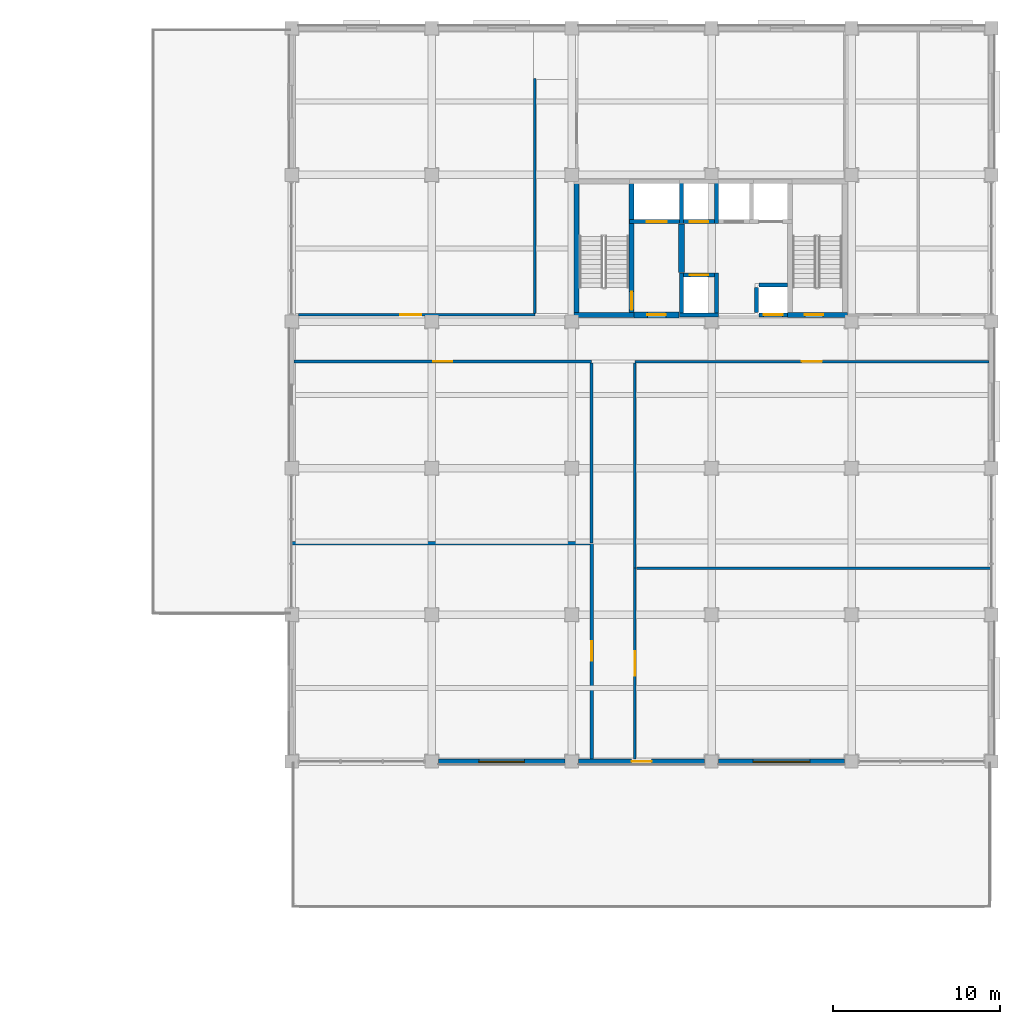
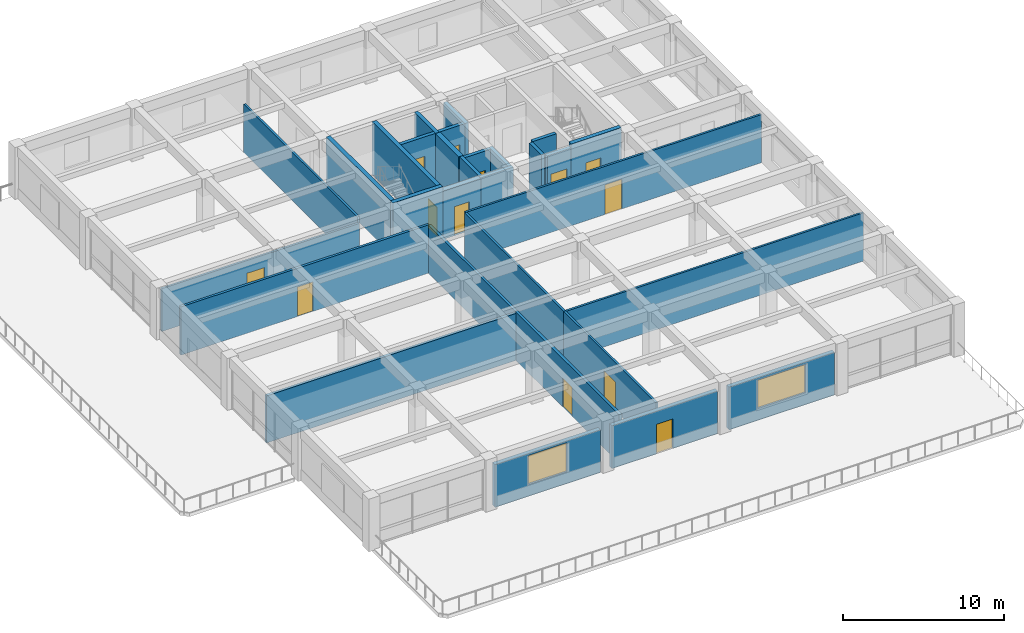
# One storey, part 37 of 49: 30 walls, 13 doors, 2 windows, 15 openings.
"""IFC4 building model written with IfcOpenShell, lengths in metres."""

from ifc_helpers import new_model, si_unit, direction, frame, frame_2d, origin, place, context, subcontext, project, spatial, rectangle, extrude, material, layer, layer_set, type_object, element, fill, save


model = new_model("IFC4")

# Units and contexts
model_context = context("Model", 3, precision=1e-05, world=origin(), true_north=direction((0.0, 1.0)))
body_context = subcontext(model_context, "Body", "Model", "MODEL_VIEW")
ifc_project = project(units=[si_unit("LENGTHUNIT", "METRE"), si_unit("AREAUNIT", "SQUARE_METRE"), si_unit("VOLUMEUNIT", "CUBIC_METRE"), si_unit("PLANEANGLEUNIT", "RADIAN"), si_unit("MASSUNIT", "GRAM", prefix="KILO")], contexts=[model_context])

# Site, building, storey
site_placement = place(None, origin())
site = spatial("IfcSite", under=ifc_project, at=site_placement, CompositionType="ELEMENT")
building_placement = place(site_placement, origin())
building = spatial("IfcBuilding", under=site, at=building_placement, Name="Kemercrest Conservatory and Botanical Centre", CompositionType="ELEMENT")
storey_placement = place(building_placement, frame((0.0, 0.0, 13.199951171875)))
storey = spatial("IfcBuildingStorey", under=building, at=storey_placement, Name="L03", CompositionType="ELEMENT", Elevation=13.199951171875)

# Wall
ifc_material_1 = material(Name="Concrete C50/60", Category="concrete")
ifc_layer_1 = layer(ifc_material_1, 0.35009765625)
ifc_layer_set_1 = layer_set([ifc_layer_1], Name="Concrete C50/60")
wall_type_1 = type_object("IfcWallType", Name="CW-CORE", PredefinedType="SHEAR", material=ifc_layer_set_1)
wall_1_placement = place(storey_placement, frame((157.39990234375, 107.75, 0.0), z_axis=(0.0, 0.0, 1.0), x_axis=(0.0, 1.0, 0.0)))
element("IfcWall", 1, at=wall_1_placement, inside=storey, type_object=wall_type_1, Name="Firefighting lift lobby 2-hour separation shear wall", PredefinedType="SHEAR", context=body_context, shape_type="SweptSolid", body=[
    extrude(rectangle(XDim=2.89990234375, YDim=0.35009765625, at=frame_2d((1.449951171875, 0.0))), origin(), (0.0, 0.0, 1.0), 3.679931640625),
])

# Wall, opening, door
wall_2_placement = place(storey_placement, frame((154.550048828125, 105.199951171875, 0.0), z_axis=(0.0, 0.0, 1.0), x_axis=(1.0, 0.0, 0.0)))
wall_2 = element("IfcWall", 2, at=wall_2_placement, inside=storey, type_object=wall_type_1, Name="Firefighting lift lobby south shear wall", PredefinedType="SHEAR", context=body_context, shape_type="SweptSolid", body=[
    extrude(rectangle(XDim=2.699951171875, YDim=0.35009765625, at=frame_2d((1.35009765625, 0.0))), origin(), (0.0, 0.0, 1.0), 3.679931640625),
])
opening_1_placement = place(wall_2_placement, frame((0.800048828125, 0.0, 0.0)))
opening_1 = element("IfcOpeningElement", 3, at=opening_1_placement, cuts=wall_2, Name="Opening D077", PredefinedType="OPENING", context=body_context, shape_type="SweptSolid", body=[
    extrude(rectangle(XDim=1.10009765625, YDim=2.199951171875, at=frame_2d((0.550048828125, 1.10009765625))), frame((0.0, 0.18505859375, 0.0), z_axis=(0.0, -1.0, 0.0), x_axis=(1.0, 0.0, 0.0)), (0.0, 0.0, 1.0), 0.3701171875),
])
ifc_material_2 = material(Name="Powder-coated galvanized steel and fire-rated vision glass", Category="steel")
door_type_1 = type_object("IfcDoorType", Name="DT-FD90", OperationType="NOTDEFINED", PredefinedType="DOOR", material=ifc_material_2)
door_1_placement = place(opening_1_placement, origin())
door_1 = element("IfcDoor", 4, at=door_1_placement, inside=storey, type_object=door_type_1, Name="Firefighting lift lobby corridor fire door D077", OperationType="SINGLE_SWING_LEFT", OverallHeight=2.199951171875, OverallWidth=1.10009765625, PredefinedType="DOOR", context=body_context, shape_type="SweptSolid", body=[
    extrude(rectangle(XDim=1.10009765625, YDim=2.199951171875, at=frame_2d((0.550048828125, 1.10009765625))), frame((0.0, 0.02490234375, 0.0), z_axis=(0.0, -1.0, 0.0), x_axis=(1.0, 0.0, 0.0)), (0.0, 0.0, 1.0), 0.050048828125),
])
fill(opening_1, door_1)

# Walls
ifc_layer_2 = layer(ifc_material_1, 0.300048828125)
ifc_layer_set_2 = layer_set([ifc_layer_2], Name="Concrete C50/60")
wall_type_2 = type_object("IfcWallType", Name="CW-STAIR", PredefinedType="SHEAR", material=ifc_layer_set_2)
wall_3_placement = place(storey_placement, frame((150.949951171875, 105.199951171875, 0.0), z_axis=(0.0, 0.0, 1.0), x_axis=(1.0, 0.0, 0.0)))
element("IfcWall", 5, at=wall_3_placement, inside=storey, type_object=wall_type_2, Name="Stair core ST-V4A shear wall S", PredefinedType="SHEAR", context=body_context, shape_type="SweptSolid", body=[
    extrude(rectangle(XDim=3.60009765625, YDim=0.300048828125, at=frame_2d((1.800048828125, 0.0))), origin(), (0.0, 0.0, 1.0), 4.0),
])
wall_4_placement = place(storey_placement, frame((151.10009765625, 105.050048828125, 0.0), z_axis=(0.0, 0.0, 1.0), x_axis=(0.0, 1.0, 0.0)))
element("IfcWall", 6, at=wall_4_placement, inside=storey, type_object=wall_type_2, Name="Stair core ST-V4A shear wall W", PredefinedType="SHEAR", context=body_context, shape_type="SweptSolid", body=[
    extrude(rectangle(XDim=8.300048828125, YDim=0.300048828125, at=frame_2d((4.14990234375, 0.0))), origin(), (0.0, 0.0, 1.0), 4.0),
])

# Wall, opening, door
wall_5_placement = place(storey_placement, frame((154.39990234375, 105.050048828125, 0.0), z_axis=(0.0, 0.0, 1.0), x_axis=(0.0, 1.0, 0.0)))
wall_5 = element("IfcWall", 7, at=wall_5_placement, inside=storey, type_object=wall_type_2, Name="Stair core ST-V4A shear wall E", PredefinedType="SHEAR", context=body_context, shape_type="SweptSolid", body=[
    extrude(rectangle(XDim=8.300048828125, YDim=0.300048828125, at=frame_2d((4.14990234375, 0.0))), origin(), (0.0, 0.0, 1.0), 4.0),
])
opening_2_placement = place(wall_5_placement, frame((0.449951171875, 0.0, 0.0)))
opening_2 = element("IfcOpeningElement", 8, at=opening_2_placement, cuts=wall_5, Name="Opening D029", PredefinedType="OPENING", context=body_context, shape_type="SweptSolid", body=[
    extrude(rectangle(XDim=1.10009765625, YDim=2.199951171875, at=frame_2d((0.550048828125, 1.10009765625))), frame((0.0, 0.16015625, 0.0), z_axis=(0.0, -1.0, 0.0), x_axis=(1.0, 0.0, 0.0)), (0.0, 0.0, 1.0), 0.320068359375),
])
door_2_placement = place(opening_2_placement, frame((1.10009765625, 0.0, 0.0), z_axis=(0.0, 0.0, 1.0), x_axis=(-1.0, 0.0, 0.0)))
door_2 = element("IfcDoor", 9, at=door_2_placement, inside=storey, type_object=door_type_1, Name="Exit stair ST-V4A fire door D029", OperationType="SINGLE_SWING_LEFT", OverallHeight=2.199951171875, OverallWidth=1.10009765625, PredefinedType="DOOR", context=body_context, shape_type="SweptSolid", body=[
    extrude(rectangle(XDim=1.10009765625, YDim=2.199951171875, at=frame_2d((0.550048828125, 1.10009765625))), frame((0.0, 0.02490234375, 0.0), z_axis=(0.0, -1.0, 0.0), x_axis=(1.0, 0.0, 0.0)), (0.0, 0.0, 1.0), 0.050048828125),
])
fill(opening_2, door_2)

wall_6_placement = place(storey_placement, frame((163.75, 105.199951171875, 0.0), z_axis=(0.0, 0.0, 1.0), x_axis=(1.0, 0.0, 0.0)))
wall_6 = element("IfcWall", 10, at=wall_6_placement, inside=storey, type_object=wall_type_2, Name="Stair core ST-V4B shear wall S", PredefinedType="SHEAR", context=body_context, shape_type="SweptSolid", body=[
    extrude(rectangle(XDim=3.60009765625, YDim=0.300048828125, at=frame_2d((1.800048828125, 0.0))), origin(), (0.0, 0.0, 1.0), 4.0),
])
opening_3_placement = place(wall_6_placement, frame((1.050048828125, 0.0, 0.0)))
opening_3 = element("IfcOpeningElement", 11, at=opening_3_placement, cuts=wall_6, Name="Opening D048", PredefinedType="OPENING", context=body_context, shape_type="SweptSolid", body=[
    extrude(rectangle(XDim=1.10009765625, YDim=2.199951171875, at=frame_2d((0.550048828125, 1.10009765625))), frame((0.0, 0.16015625, 0.0), z_axis=(0.0, -1.0, 0.0), x_axis=(1.0, 0.0, 0.0)), (0.0, 0.0, 1.0), 0.320068359375),
])
door_3_placement = place(opening_3_placement, origin())
door_3 = element("IfcDoor", 12, at=door_3_placement, inside=storey, type_object=door_type_1, Name="Exit stair ST-V4B fire door D048", OperationType="SINGLE_SWING_RIGHT", OverallHeight=2.199951171875, OverallWidth=1.10009765625, PredefinedType="DOOR", context=body_context, shape_type="SweptSolid", body=[
    extrude(rectangle(XDim=1.10009765625, YDim=2.199951171875, at=frame_2d((0.550048828125, 1.10009765625))), frame((0.0, 0.02490234375, 0.0), z_axis=(0.0, -1.0, 0.0), x_axis=(1.0, 0.0, 0.0)), (0.0, 0.0, 1.0), 0.050048828125),
])
fill(opening_3, door_3)

# Wall, opening, window
ifc_material_3 = material(Name="Precast concrete C40/50", Category="concrete")
ifc_layer_3 = layer(ifc_material_3, 0.300048828125)
ifc_layer_set_3 = layer_set([ifc_layer_3], Name="Precast concrete C40/50")
wall_type_3 = type_object("IfcWallType", Name="W-EXT300", PredefinedType="SOLIDWALL", material=ifc_layer_set_3)
wall_7_placement = place(storey_placement, frame((142.81005859375, 78.39990234375, 0.0), z_axis=(0.0, 0.0, 1.0), x_axis=(1.0, 0.0, 0.0)))
wall_7 = element("IfcWall", 13, at=wall_7_placement, inside=storey, type_object=wall_type_3, Name="Exterior almasik wall W-EXT300 (WAL:L03:EXT-210)", PredefinedType="SOLIDWALL", context=body_context, shape_type="SweptSolid", body=[
    extrude(rectangle(XDim=7.579833984375, YDim=0.300048828125, at=frame_2d((3.7900390625, 0.0))), origin(), (0.0, 0.0, 1.0), 3.25),
])
opening_4_placement = place(wall_7_placement, frame((2.419921875, 0.0, 0.89990234375)))
opening_4 = element("IfcOpeningElement", 14, at=opening_4_placement, cuts=wall_7, Name="Opening WT-55", PredefinedType="OPENING", context=body_context, shape_type="SweptSolid", body=[
    extrude(rectangle(XDim=2.739990234375, YDim=2.199951171875, at=frame_2d((1.3701171875, 1.10009765625))), frame((0.0, 0.16015625, 0.0), z_axis=(0.0, -1.0, 0.0), x_axis=(1.0, 0.0, 0.0)), (0.0, 0.0, 1.0), 0.320068359375),
])
ifc_material_4 = material(Name="Thermally broken bronze-anodized aluminium and triple glazing", Category="aluminium")
window_type_1 = type_object("IfcWindowType", Name="WT-55", PartitioningType="SINGLE_PANEL", PredefinedType="WINDOW", material=ifc_material_4)
window_1_placement = place(opening_4_placement, origin())
window_1 = element("IfcWindow", 15, at=window_1_placement, inside=storey, type_object=window_type_1, Name="Exterior window WT-55 (WIN:L03:EXT-210)", OverallHeight=2.199951171875, OverallWidth=2.739990234375, PartitioningType="SINGLE_PANEL", PredefinedType="WINDOW", context=body_context, shape_type="SweptSolid", body=[
    extrude(rectangle(XDim=2.739990234375, YDim=2.199951171875, at=frame_2d((1.3701171875, 1.10009765625))), frame((0.0, 0.030029296875, 0.0), z_axis=(0.0, -1.0, 0.0), x_axis=(1.0, 0.0, 0.0)), (0.0, 0.0, 1.0), 0.06005859375),
])
fill(opening_4, window_1)

# Wall, opening, door
wall_8_placement = place(storey_placement, frame((151.2099609375, 78.39990234375, 0.0), z_axis=(0.0, 0.0, 1.0), x_axis=(1.0, 0.0, 0.0)))
wall_8 = element("IfcWall", 16, at=wall_8_placement, inside=storey, type_object=wall_type_3, Name="Exterior almasik wall W-EXT300 (WAL:L03:EXT-211)", PredefinedType="SOLIDWALL", context=body_context, shape_type="SweptSolid", body=[
    extrude(rectangle(XDim=7.580078125, YDim=0.300048828125, at=frame_2d((3.7900390625, 0.0))), origin(), (0.0, 0.0, 1.0), 3.25),
])
opening_5_placement = place(wall_8_placement, frame((3.18994140625, 0.0, 0.0)))
opening_5 = element("IfcOpeningElement", 17, at=opening_5_placement, cuts=wall_8, Name="Opening ED042", PredefinedType="OPENING", context=body_context, shape_type="SweptSolid", body=[
    extrude(rectangle(XDim=1.199951171875, YDim=2.25, at=frame_2d((0.60009765625, 1.125))), frame((0.0, 0.16015625, 0.0), z_axis=(0.0, -1.0, 0.0), x_axis=(1.0, 0.0, 0.0)), (0.0, 0.0, 1.0), 0.320068359375),
])
ifc_material_5 = material(Name="Thermally broken bronze-anodized aluminium and laminated safety glass", Category="aluminium")
door_type_2 = type_object("IfcDoorType", Name="DT-E04", OperationType="NOTDEFINED", PredefinedType="DOOR", material=ifc_material_5)
door_4_placement = place(opening_5_placement, frame((1.199951171875, 0.0, 0.0), z_axis=(0.0, 0.0, 1.0), x_axis=(-1.0, 0.0, 0.0)))
door_4 = element("IfcDoor", 18, at=door_4_placement, inside=storey, type_object=door_type_2, Name="South Harbour Setback Terrace Door", OperationType="SINGLE_SWING_LEFT", OverallHeight=2.25, OverallWidth=1.199951171875, PredefinedType="DOOR", context=body_context, shape_type="SweptSolid", body=[
    extrude(rectangle(XDim=1.199951171875, YDim=2.25, at=frame_2d((0.60009765625, 1.125))), frame((0.0, 0.02490234375, 0.0), z_axis=(0.0, -1.0, 0.0), x_axis=(1.0, 0.0, 0.0)), (0.0, 0.0, 1.0), 0.050048828125),
])
fill(opening_5, door_4)

# Wall, opening, window
wall_9_placement = place(storey_placement, frame((159.610107421875, 78.39990234375, 0.0), z_axis=(0.0, 0.0, 1.0), x_axis=(1.0, 0.0, 0.0)))
wall_9 = element("IfcWall", 19, at=wall_9_placement, inside=storey, type_object=wall_type_3, Name="Exterior almasik wall W-EXT300 (WAL:L03:EXT-212)", PredefinedType="SOLIDWALL", context=body_context, shape_type="SweptSolid", body=[
    extrude(rectangle(XDim=7.579833984375, YDim=0.300048828125, at=frame_2d((3.7900390625, 0.0))), origin(), (0.0, 0.0, 1.0), 3.25),
])
opening_6_placement = place(wall_9_placement, frame((2.090087890625, 0.0, 0.89990234375)))
opening_6 = element("IfcOpeningElement", 20, at=opening_6_placement, cuts=wall_9, Name="Opening WT-20", PredefinedType="OPENING", context=body_context, shape_type="SweptSolid", body=[
    extrude(rectangle(XDim=3.39990234375, YDim=2.14990234375, at=frame_2d((1.699951171875, 1.074951171875))), frame((0.0, 0.16015625, 0.0), z_axis=(0.0, -1.0, 0.0), x_axis=(1.0, 0.0, 0.0)), (0.0, 0.0, 1.0), 0.320068359375),
])
window_type_2 = type_object("IfcWindowType", Name="WT-20", PartitioningType="SINGLE_PANEL", PredefinedType="WINDOW", material=ifc_material_4)
window_2_placement = place(opening_6_placement, origin())
window_2 = element("IfcWindow", 21, at=window_2_placement, inside=storey, type_object=window_type_2, Name="Exterior window WT-20 (WIN:L03:EXT-212)", OverallHeight=2.14990234375, OverallWidth=3.39990234375, PartitioningType="SINGLE_PANEL", PredefinedType="WINDOW", context=body_context, shape_type="SweptSolid", body=[
    extrude(rectangle(XDim=3.39990234375, YDim=2.14990234375, at=frame_2d((1.699951171875, 1.074951171875))), frame((0.0, 0.030029296875, 0.0), z_axis=(0.0, -1.0, 0.0), x_axis=(1.0, 0.0, 0.0)), (0.0, 0.0, 1.0), 0.06005859375),
])
fill(opening_6, window_2)

# Wall, opening, door
ifc_material_6 = material(Name="Concrete C40/50", Category="concrete")
ifc_layer_4 = layer(ifc_material_6, 0.199951171875)
ifc_layer_set_4 = layer_set([ifc_layer_4], Name="Concrete C40/50")
wall_type_4 = type_object("IfcWallType", Name="W-FIRE", PredefinedType="PARTITIONING", material=ifc_layer_set_4)
wall_10_placement = place(storey_placement, frame((152.0, 78.554931640625, 0.0), z_axis=(0.0, 0.0, 1.0), x_axis=(0.0, 1.0, 0.0)))
wall_10 = element("IfcWall", 22, at=wall_10_placement, inside=storey, type_object=wall_type_4, Name="Interior partition W-FIRE #148", PredefinedType="PARTITIONING", context=body_context, shape_type="SweptSolid", body=[
    extrude(rectangle(XDim=12.945068359375, YDim=0.199951171875, at=frame_2d((6.47265625, 0.0))), origin(), (0.0, 0.0, 1.0), 3.6650390625),
])
opening_7_placement = place(wall_10_placement, frame((5.8974609375, 0.0, 0.0)))
opening_7 = element("IfcOpeningElement", 23, at=opening_7_placement, cuts=wall_10, Name="Opening D194", PredefinedType="OPENING", context=body_context, shape_type="SweptSolid", body=[
    extrude(rectangle(XDim=1.14990234375, YDim=2.199951171875, at=frame_2d((0.574951171875, 1.10009765625))), frame((0.0, 0.10986328125, 0.0), z_axis=(0.0, -1.0, 0.0), x_axis=(1.0, 0.0, 0.0)), (0.0, 0.0, 1.0), 0.219970703125),
])
door_type_3 = type_object("IfcDoorType", Name="DT-FD60", OperationType="NOTDEFINED", PredefinedType="DOOR", material=ifc_material_2)
door_5_placement = place(opening_7_placement, origin())
door_5 = element("IfcDoor", 24, at=door_5_placement, inside=storey, type_object=door_type_3, Name="Plant Pathology Research Laboratory door D194", OperationType="SINGLE_SWING_RIGHT", OverallHeight=2.199951171875, OverallWidth=1.14990234375, PredefinedType="DOOR", context=body_context, shape_type="SweptSolid", body=[
    extrude(rectangle(XDim=1.14990234375, YDim=2.199951171875, at=frame_2d((0.574951171875, 1.10009765625))), frame((0.0, 0.02490234375, 0.0), z_axis=(0.0, -1.0, 0.0), x_axis=(1.0, 0.0, 0.0)), (0.0, 0.0, 1.0), 0.050048828125),
])
fill(opening_7, door_5)

# Wall
wall_11_placement = place(storey_placement, frame((134.0, 91.5, 0.0), z_axis=(0.0, 0.0, 1.0), x_axis=(1.0, 0.0, 0.0)))
element("IfcWall", 25, at=wall_11_placement, inside=storey, type_object=wall_type_4, Name="Interior partition W-FIRE #156", PredefinedType="PARTITIONING", context=body_context, shape_type="SweptSolid", body=[
    extrude(rectangle(XDim=17.89501953125, YDim=0.199951171875, at=frame_2d((8.947509765625, 0.0))), origin(), (0.0, 0.0, 1.0), 3.574951171875),
])

# Wall, opening, door
ifc_material_7 = material(Name="Steel-stud gypsum board partition", Category="steel")
ifc_layer_5 = layer(ifc_material_7, 0.14990234375)
ifc_layer_set_5 = layer_set([ifc_layer_5], Name="Steel-stud gypsum board partition")
wall_type_5 = type_object("IfcWallType", Name="W-PART150", PredefinedType="PARTITIONING", material=ifc_layer_set_5)
wall_12_placement = place(storey_placement, frame((154.60009765625, 102.39990234375, 0.0), z_axis=(0.0, 0.0, 1.0), x_axis=(1.0, 0.0, 0.0)))
wall_12 = element("IfcWall", 26, at=wall_12_placement, inside=storey, type_object=wall_type_5, Name="Interior partition W-PART150 #144", PredefinedType="PARTITIONING", context=body_context, shape_type="SweptSolid", body=[
    extrude(rectangle(XDim=21.244873046875, YDim=0.14990234375, at=frame_2d((10.62255859375, 0.0))), origin(), (0.0, 0.0, 1.0), 3.6650390625),
])
opening_8_placement = place(wall_12_placement, frame((10.0224609375, 0.0, 0.0)))
opening_8 = element("IfcOpeningElement", 27, at=opening_8_placement, cuts=wall_12, Name="Opening D190", PredefinedType="OPENING", context=body_context, shape_type="SweptSolid", body=[
    extrude(rectangle(XDim=1.199951171875, YDim=2.260009765625, at=frame_2d((0.60009765625, 1.1298828125))), frame((0.0, 0.0849609375, 0.0), z_axis=(0.0, -1.0, 0.0), x_axis=(1.0, 0.0, 0.0)), (0.0, 0.0, 1.0), 0.169921875),
])
ifc_material_8 = material(Name="FSC solid-core white oak veneer and anodized aluminium frame", Category="aluminium")
door_type_4 = type_object("IfcDoorType", Name="DT-37", OperationType="NOTDEFINED", PredefinedType="DOOR", material=ifc_material_8)
door_6_placement = place(opening_8_placement, origin())
door_6 = element("IfcDoor", 28, at=door_6_placement, inside=storey, type_object=door_type_4, Name="Bioinformatics Studio door D190", OperationType="SINGLE_SWING_RIGHT", OverallHeight=2.260009765625, OverallWidth=1.199951171875, PredefinedType="DOOR", context=body_context, shape_type="SweptSolid", body=[
    extrude(rectangle(XDim=1.199951171875, YDim=2.260009765625, at=frame_2d((0.60009765625, 1.1298828125))), frame((0.0, 0.02490234375, 0.0), z_axis=(0.0, -1.0, 0.0), x_axis=(1.0, 0.0, 0.0)), (0.0, 0.0, 1.0), 0.050048828125),
])
fill(opening_8, door_6)

wall_13_placement = place(storey_placement, frame((134.39990234375, 105.199951171875, 0.0), z_axis=(0.0, 0.0, 1.0), x_axis=(1.0, 0.0, 0.0)))
wall_13 = element("IfcWall", 29, at=wall_13_placement, inside=storey, type_object=wall_type_5, Name="Interior partition W-PART150 #145", PredefinedType="PARTITIONING", context=body_context, shape_type="SweptSolid", body=[
    extrude(rectangle(XDim=14.2001953125, YDim=0.14990234375, at=frame_2d((7.10009765625, 0.0))), origin(), (0.0, 0.0, 1.0), 3.2451171875),
])
opening_9_placement = place(wall_13_placement, frame((6.1201171875, 0.0, 0.0)))
opening_9 = element("IfcOpeningElement", 30, at=opening_9_placement, cuts=wall_13, Name="Opening D191", PredefinedType="OPENING", context=body_context, shape_type="SweptSolid", body=[
    extrude(rectangle(XDim=1.260009765625, YDim=2.280029296875, at=frame_2d((0.6298828125, 1.14013671875))), frame((0.0, 0.0849609375, 0.0), z_axis=(0.0, -1.0, 0.0), x_axis=(1.0, 0.0, 0.0)), (0.0, 0.0, 1.0), 0.169921875),
])
door_type_5 = type_object("IfcDoorType", Name="DT-38", OperationType="NOTDEFINED", PredefinedType="DOOR", material=ifc_material_8)
door_7_placement = place(opening_9_placement, origin())
door_7 = element("IfcDoor", 31, at=door_7_placement, inside=storey, type_object=door_type_5, Name="Principal Investigator Office door D191", OperationType="SINGLE_SWING_LEFT", OverallHeight=2.280029296875, OverallWidth=1.260009765625, PredefinedType="DOOR", context=body_context, shape_type="SweptSolid", body=[
    extrude(rectangle(XDim=1.260009765625, YDim=2.280029296875, at=frame_2d((0.6298828125, 1.14013671875))), frame((0.0, 0.02490234375, 0.0), z_axis=(0.0, -1.0, 0.0), x_axis=(1.0, 0.0, 0.0)), (0.0, 0.0, 1.0), 0.050048828125),
])
fill(opening_9, door_7)

wall_14_placement = place(storey_placement, frame((154.60009765625, 78.554931640625, 0.0), z_axis=(0.0, 0.0, 1.0), x_axis=(0.0, 1.0, 0.0)))
wall_14 = element("IfcWall", 32, at=wall_14_placement, inside=storey, type_object=wall_type_5, Name="Interior partition W-PART150 #150", PredefinedType="PARTITIONING", context=body_context, shape_type="SweptSolid", body=[
    extrude(rectangle(XDim=11.445068359375, YDim=0.14990234375, at=frame_2d((5.72265625, 0.0))), origin(), (0.0, 0.0, 1.0), 3.6650390625),
])
opening_10_placement = place(wall_14_placement, frame((4.982421875, 0.0, 0.0)))
opening_10 = element("IfcOpeningElement", 33, at=opening_10_placement, cuts=wall_14, Name="Opening D195", PredefinedType="OPENING", context=body_context, shape_type="SweptSolid", body=[
    extrude(rectangle(XDim=1.47998046875, YDim=2.199951171875, at=frame_2d((0.739990234375, 1.10009765625))), frame((0.0, 0.0849609375, 0.0), z_axis=(0.0, -1.0, 0.0), x_axis=(1.0, 0.0, 0.0)), (0.0, 0.0, 1.0), 0.169921875),
])
door_type_6 = type_object("IfcDoorType", Name="DT-09", OperationType="DOUBLE_DOOR_SINGLE_SWING", PredefinedType="DOOR", material=ifc_material_8)
door_8_placement = place(opening_10_placement, origin())
door_8 = element("IfcDoor", 34, at=door_8_placement, inside=storey, type_object=door_type_6, Name="Botanical Seminar and Terrace Lounge door D195", OperationType="DOUBLE_DOOR_SINGLE_SWING", OverallHeight=2.199951171875, OverallWidth=1.47998046875, PredefinedType="DOOR", context=body_context, shape_type="SweptSolid", body=[
    extrude(rectangle(XDim=1.47998046875, YDim=2.199951171875, at=frame_2d((0.739990234375, 1.10009765625))), frame((0.0, 0.02490234375, 0.0), z_axis=(0.0, -1.0, 0.0), x_axis=(1.0, 0.0, 0.0)), (0.0, 0.0, 1.0), 0.050048828125),
])
fill(opening_10, door_8)

# Walls
wall_15_placement = place(storey_placement, frame((154.60009765625, 90.0, 0.0), z_axis=(0.0, 0.0, 1.0), x_axis=(0.0, 1.0, 0.0)))
element("IfcWall", 35, at=wall_15_placement, inside=storey, type_object=wall_type_5, Name="Interior partition W-PART150 #151", PredefinedType="PARTITIONING", context=body_context, shape_type="SweptSolid", body=[
    extrude(rectangle(XDim=12.320068359375, YDim=0.14990234375, at=frame_2d((6.16015625, 0.0))), origin(), (0.0, 0.0, 1.0), 3.6650390625),
])
wall_16_placement = place(storey_placement, frame((148.60009765625, 105.280029296875, 0.0), z_axis=(0.0, 0.0, 1.0), x_axis=(0.0, 1.0, 0.0)))
element("IfcWall", 36, at=wall_16_placement, inside=storey, type_object=wall_type_5, Name="Interior partition W-PART150 #152", PredefinedType="PARTITIONING", context=body_context, shape_type="SweptSolid", body=[
    extrude(rectangle(XDim=14.119873046875, YDim=0.14990234375, at=frame_2d((7.06005859375, 0.0))), origin(), (0.0, 0.0, 1.0), 3.6650390625),
])
wall_17_placement = place(storey_placement, frame((154.679931640625, 90.0, 0.0), z_axis=(0.0, 0.0, 1.0), x_axis=(1.0, 0.0, 0.0)))
element("IfcWall", 37, at=wall_17_placement, inside=storey, type_object=wall_type_5, Name="Interior partition W-PART150 #157", PredefinedType="PARTITIONING", context=body_context, shape_type="SweptSolid", body=[
    extrude(rectangle(XDim=21.320068359375, YDim=0.14990234375, at=frame_2d((10.66015625, 0.0))), origin(), (0.0, 0.0, 1.0), 3.6650390625),
])

# Wall, opening, door
ifc_material_9 = material(Name="Acoustic steel-stud gypsum board assembly", Category="steel")
ifc_layer_6 = layer(ifc_material_9, 0.179931640625)
ifc_layer_set_6 = layer_set([ifc_layer_6], Name="Acoustic steel-stud gypsum board assembly")
wall_type_6 = type_object("IfcWallType", Name="W-PART180", PredefinedType="PARTITIONING", material=ifc_layer_set_6)
wall_18_placement = place(storey_placement, frame((134.155029296875, 102.39990234375, 0.0), z_axis=(0.0, 0.0, 1.0), x_axis=(1.0, 0.0, 0.0)))
wall_18 = element("IfcWall", 38, at=wall_18_placement, inside=storey, type_object=wall_type_6, Name="Interior partition W-PART180 #143", PredefinedType="PARTITIONING", context=body_context, shape_type="SweptSolid", body=[
    extrude(rectangle(XDim=17.844970703125, YDim=0.179931640625, at=frame_2d((8.92236328125, 0.0))), origin(), (0.0, 0.0, 1.0), 3.6650390625),
])
opening_11_placement = place(wall_18_placement, frame((8.3525390625, 0.0, 0.0)))
opening_11 = element("IfcOpeningElement", 39, at=opening_11_placement, cuts=wall_18, Name="Opening D189", PredefinedType="OPENING", context=body_context, shape_type="SweptSolid", body=[
    extrude(rectangle(XDim=1.139892578125, YDim=2.239990234375, at=frame_2d((0.56982421875, 1.1201171875))), frame((0.0, 0.10009765625, 0.0), z_axis=(0.0, -1.0, 0.0), x_axis=(1.0, 0.0, 0.0)), (0.0, 0.0, 1.0), 0.199951171875),
])
door_type_7 = type_object("IfcDoorType", Name="DT-36", OperationType="NOTDEFINED", PredefinedType="DOOR", material=ifc_material_8)
door_9_placement = place(opening_11_placement, origin())
door_9 = element("IfcDoor", 40, at=door_9_placement, inside=storey, type_object=door_type_7, Name="Tissue Culture Research Laboratory door D189", OperationType="SINGLE_SWING_LEFT", OverallHeight=2.239990234375, OverallWidth=1.139892578125, PredefinedType="DOOR", context=body_context, shape_type="SweptSolid", body=[
    extrude(rectangle(XDim=1.139892578125, YDim=2.239990234375, at=frame_2d((0.56982421875, 1.1201171875))), frame((0.0, 0.02490234375, 0.0), z_axis=(0.0, -1.0, 0.0), x_axis=(1.0, 0.0, 0.0)), (0.0, 0.0, 1.0), 0.050048828125),
])
fill(opening_11, door_9)

# Wall
wall_19_placement = place(storey_placement, frame((152.0, 91.5, 0.0), z_axis=(0.0, 0.0, 1.0), x_axis=(0.0, 1.0, 0.0)))
element("IfcWall", 41, at=wall_19_placement, inside=storey, type_object=wall_type_6, Name="Interior partition W-PART180 #149", PredefinedType="PARTITIONING", context=body_context, shape_type="SweptSolid", body=[
    extrude(rectangle(XDim=10.804931640625, YDim=0.179931640625, at=frame_2d((5.40234375, 0.0))), origin(), (0.0, 0.0, 1.0), 3.6650390625),
])

# Wall, opening, door
ifc_layer_7 = layer(ifc_material_6, 0.25)
ifc_layer_set_7 = layer_set([ifc_layer_7], Name="Concrete C40/50")
wall_type_7 = type_object("IfcWallType", Name="W-SHFT250", PredefinedType="SOLIDWALL", material=ifc_layer_set_7)
wall_20_placement = place(storey_placement, frame((154.27490234375, 110.800048828125, 0.0), z_axis=(0.0, 0.0, 1.0), x_axis=(1.0, 0.0, 0.0)))
wall_20 = element("IfcWall", 42, at=wall_20_placement, inside=storey, type_object=wall_type_7, Name="Elevator LF-FF1 shaft wall south", PredefinedType="SOLIDWALL", context=body_context, shape_type="SweptSolid", body=[
    extrude(rectangle(XDim=3.25, YDim=0.25, at=frame_2d((1.625, 0.0))), origin(), (0.0, 0.0, 1.0), 3.679931640625),
])
opening_12_placement = place(wall_20_placement, frame((1.02490234375, 0.0, 0.0)))
opening_12 = element("IfcOpeningElement", 43, at=opening_12_placement, cuts=wall_20, Name="Opening LD-005", PredefinedType="OPENING", context=body_context, shape_type="SweptSolid", body=[
    extrude(rectangle(XDim=1.199951171875, YDim=2.199951171875, at=frame_2d((0.60009765625, 1.10009765625))), frame((0.0, 0.135009765625, 0.0), z_axis=(0.0, -1.0, 0.0), x_axis=(1.0, 0.0, 0.0)), (0.0, 0.0, 1.0), 0.27001953125),
])
door_type_8 = type_object("IfcDoorType", Name="DT-LD02", OperationType="SLIDING_TO_LEFT", PredefinedType="DOOR", material=ifc_material_2)
door_10_placement = place(opening_12_placement, origin())
door_10 = element("IfcDoor", 44, at=door_10_placement, inside=storey, type_object=door_type_8, Name="Elevator LF-FF1 sliding landing door LD-005", OperationType="SLIDING_TO_LEFT", OverallHeight=2.199951171875, OverallWidth=1.199951171875, PredefinedType="DOOR", context=body_context, shape_type="SweptSolid", body=[
    extrude(rectangle(XDim=1.199951171875, YDim=2.199951171875, at=frame_2d((0.60009765625, 1.10009765625))), frame((0.0, 0.02490234375, 0.0), z_axis=(0.0, -1.0, 0.0), x_axis=(1.0, 0.0, 0.0)), (0.0, 0.0, 1.0), 0.050048828125),
])
fill(opening_12, door_10)

# Wall
wall_21_placement = place(storey_placement, frame((157.39990234375, 110.675048828125, 0.0), z_axis=(0.0, 0.0, 1.0), x_axis=(0.0, 1.0, 0.0)))
element("IfcWall", 45, at=wall_21_placement, inside=storey, type_object=wall_type_7, Name="Elevator LF-FF1 shaft wall east", PredefinedType="SOLIDWALL", context=body_context, shape_type="SweptSolid", body=[
    extrude(rectangle(XDim=2.64990234375, YDim=0.25, at=frame_2d((1.324951171875, 0.0))), origin(), (0.0, 0.0, 1.0), 3.679931640625),
])

# Wall, opening, door
wall_22_placement = place(storey_placement, frame((157.27490234375, 110.800048828125, 0.0), z_axis=(0.0, 0.0, 1.0), x_axis=(1.0, 0.0, 0.0)))
wall_22 = element("IfcWall", 46, at=wall_22_placement, inside=storey, type_object=wall_type_7, Name="Elevator LF-P1 shaft wall south", PredefinedType="SOLIDWALL", context=body_context, shape_type="SweptSolid", body=[
    extrude(rectangle(XDim=2.35009765625, YDim=0.25, at=frame_2d((1.175048828125, 0.0))), origin(), (0.0, 0.0, 1.0), 3.679931640625),
])
opening_13_placement = place(wall_22_placement, frame((0.625, 0.0, 0.0)))
opening_13 = element("IfcOpeningElement", 47, at=opening_13_placement, cuts=wall_22, Name="Opening LD-024", PredefinedType="OPENING", context=body_context, shape_type="SweptSolid", body=[
    extrude(rectangle(XDim=1.10009765625, YDim=2.199951171875, at=frame_2d((0.550048828125, 1.10009765625))), frame((0.0, 0.135009765625, 0.0), z_axis=(0.0, -1.0, 0.0), x_axis=(1.0, 0.0, 0.0)), (0.0, 0.0, 1.0), 0.27001953125),
])
door_type_9 = type_object("IfcDoorType", Name="DT-LD01", OperationType="SLIDING_TO_LEFT", PredefinedType="DOOR", material=ifc_material_2)
door_11_placement = place(opening_13_placement, origin())
door_11 = element("IfcDoor", 48, at=door_11_placement, inside=storey, type_object=door_type_9, Name="Elevator LF-P1 sliding landing door LD-024", OperationType="SLIDING_TO_LEFT", OverallHeight=2.199951171875, OverallWidth=1.10009765625, PredefinedType="DOOR", context=body_context, shape_type="SweptSolid", body=[
    extrude(rectangle(XDim=1.10009765625, YDim=2.199951171875, at=frame_2d((0.550048828125, 1.10009765625))), frame((0.0, 0.02490234375, 0.0), z_axis=(0.0, -1.0, 0.0), x_axis=(1.0, 0.0, 0.0)), (0.0, 0.0, 1.0), 0.050048828125),
])
fill(opening_13, door_11)

# Walls
wall_23_placement = place(storey_placement, frame((159.5, 110.675048828125, 0.0), z_axis=(0.0, 0.0, 1.0), x_axis=(0.0, 1.0, 0.0)))
element("IfcWall", 49, at=wall_23_placement, inside=storey, type_object=wall_type_7, Name="Elevator LF-P1 shaft wall east", PredefinedType="SOLIDWALL", context=body_context, shape_type="SweptSolid", body=[
    extrude(rectangle(XDim=2.64990234375, YDim=0.25, at=frame_2d((1.324951171875, 0.0))), origin(), (0.0, 0.0, 1.0), 3.679931640625),
])
wall_24_placement = place(storey_placement, frame((157.27490234375, 105.199951171875, 0.0), z_axis=(0.0, 0.0, 1.0), x_axis=(1.0, 0.0, 0.0)))
element("IfcWall", 50, at=wall_24_placement, inside=storey, type_object=wall_type_7, Name="Elevator LF-P3 shaft wall south", PredefinedType="SOLIDWALL", context=body_context, shape_type="SweptSolid", body=[
    extrude(rectangle(XDim=2.35009765625, YDim=0.25, at=frame_2d((1.175048828125, 0.0))), origin(), (0.0, 0.0, 1.0), 3.679931640625),
])

# Wall, opening, door
wall_25_placement = place(storey_placement, frame((157.27490234375, 107.60009765625, 0.0), z_axis=(0.0, 0.0, 1.0), x_axis=(1.0, 0.0, 0.0)))
wall_25 = element("IfcWall", 51, at=wall_25_placement, inside=storey, type_object=wall_type_7, Name="Elevator LF-P3 shaft wall north", PredefinedType="SOLIDWALL", context=body_context, shape_type="SweptSolid", body=[
    extrude(rectangle(XDim=2.35009765625, YDim=0.25, at=frame_2d((1.175048828125, 0.0))), origin(), (0.0, 0.0, 1.0), 3.679931640625),
])
opening_14_placement = place(wall_25_placement, frame((0.625, 0.0, 0.0)))
opening_14 = element("IfcOpeningElement", 52, at=opening_14_placement, cuts=wall_25, Name="Opening LD-061", PredefinedType="OPENING", context=body_context, shape_type="SweptSolid", body=[
    extrude(rectangle(XDim=1.10009765625, YDim=2.199951171875, at=frame_2d((0.550048828125, 1.10009765625))), frame((0.0, 0.135009765625, 0.0), z_axis=(0.0, -1.0, 0.0), x_axis=(1.0, 0.0, 0.0)), (0.0, 0.0, 1.0), 0.27001953125),
])
door_12_placement = place(opening_14_placement, origin())
door_12 = element("IfcDoor", 53, at=door_12_placement, inside=storey, type_object=door_type_9, Name="Elevator LF-P3 sliding landing door LD-061", OperationType="SLIDING_TO_LEFT", OverallHeight=2.199951171875, OverallWidth=1.10009765625, PredefinedType="DOOR", context=body_context, shape_type="SweptSolid", body=[
    extrude(rectangle(XDim=1.10009765625, YDim=2.199951171875, at=frame_2d((0.550048828125, 1.10009765625))), frame((0.0, 0.02490234375, 0.0), z_axis=(0.0, -1.0, 0.0), x_axis=(1.0, 0.0, 0.0)), (0.0, 0.0, 1.0), 0.050048828125),
])
fill(opening_14, door_12)

# Walls
for number, where, z_axis, x_axis, name in (
    (54, (157.39990234375, 105.074951171875, 0.0), (0.0, 0.0, 1.0), (0.0, 1.0, 0.0), "Elevator LF-P3 shaft wall west"),
    (55, (159.5, 105.074951171875, 0.0), (0.0, 0.0, 1.0), (0.0, 1.0, 0.0), "Elevator LF-P3 shaft wall east"),
):
    element("IfcWall", number, at=place(storey_placement, frame(where, z_axis=z_axis, x_axis=x_axis)), inside=storey, type_object=wall_type_7, Name=name, PredefinedType="SOLIDWALL", context=body_context, shape_type="SweptSolid", body=[
        extrude(rectangle(XDim=2.650146484375, YDim=0.25, at=frame_2d((1.3251953125, 0.0))), origin(), (0.0, 0.0, 1.0), 3.679931640625),
    ])
wall_26_placement = place(storey_placement, frame((161.89990234375, 105.35009765625, 0.0), z_axis=(0.0, 0.0, 1.0), x_axis=(0.0, 1.0, 0.0)))
element("IfcWall", 56, at=wall_26_placement, inside=storey, type_object=wall_type_7, Name="Core service riser shaft wall W", PredefinedType="SOLIDWALL", context=body_context, shape_type="SweptSolid", body=[
    extrude(rectangle(XDim=1.5, YDim=0.25, at=frame_2d((0.75, 0.0))), origin(), (0.0, 0.0, 1.0), 3.679931640625),
])
wall_27_placement = place(storey_placement, frame((162.050048828125, 107.0, 0.0), z_axis=(0.0, 0.0, 1.0), x_axis=(1.0, 0.0, 0.0)))
element("IfcWall", 57, at=wall_27_placement, inside=storey, type_object=wall_type_7, Name="Core service riser shaft wall N", PredefinedType="SOLIDWALL", context=body_context, shape_type="SweptSolid", body=[
    extrude(rectangle(XDim=1.699951171875, YDim=0.25, at=frame_2d((0.85009765625, 0.0))), origin(), (0.0, 0.0, 1.0), 3.679931640625),
])

# Wall, opening, door
wall_28_placement = place(storey_placement, frame((162.050048828125, 105.199951171875, 0.0), z_axis=(0.0, 0.0, 1.0), x_axis=(1.0, 0.0, 0.0)))
wall_28 = element("IfcWall", 58, at=wall_28_placement, inside=storey, type_object=wall_type_7, Name="Core service riser shaft wall S", PredefinedType="SOLIDWALL", context=body_context, shape_type="SweptSolid", body=[
    extrude(rectangle(XDim=1.699951171875, YDim=0.25, at=frame_2d((0.85009765625, 0.0))), origin(), (0.0, 0.0, 1.0), 3.679931640625),
])
opening_15_placement = place(wall_28_placement, frame((0.27001953125, 0.0, 0.0)))
opening_15 = element("IfcOpeningElement", 59, at=opening_15_placement, cuts=wall_28, Name="Opening D078", PredefinedType="OPENING", context=body_context, shape_type="SweptSolid", body=[
    extrude(rectangle(XDim=1.14990234375, YDim=2.199951171875, at=frame_2d((0.574951171875, 1.10009765625))), frame((0.0, 0.135009765625, 0.0), z_axis=(0.0, -1.0, 0.0), x_axis=(1.0, 0.0, 0.0)), (0.0, 0.0, 1.0), 0.27001953125),
])
door_13_placement = place(opening_15_placement, origin())
door_13 = element("IfcDoor", 60, at=door_13_placement, inside=storey, type_object=door_type_3, Name="Service riser access fire door D078", OperationType="SINGLE_SWING_RIGHT", OverallHeight=2.199951171875, OverallWidth=1.14990234375, PredefinedType="DOOR", context=body_context, shape_type="SweptSolid", body=[
    extrude(rectangle(XDim=1.14990234375, YDim=2.199951171875, at=frame_2d((0.574951171875, 1.10009765625))), frame((0.0, 0.02490234375, 0.0), z_axis=(0.0, -1.0, 0.0), x_axis=(1.0, 0.0, 0.0)), (0.0, 0.0, 1.0), 0.050048828125),
])
fill(opening_15, door_13)

save(model, "model.ifc")
